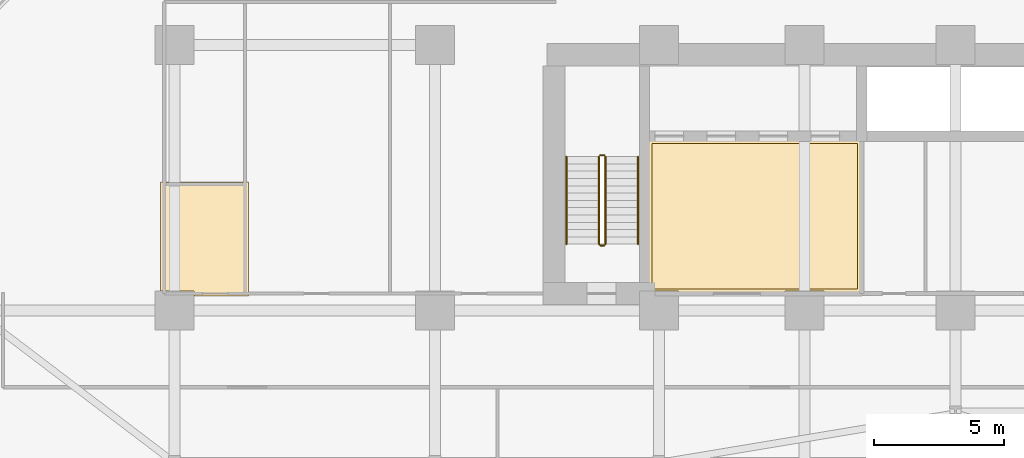
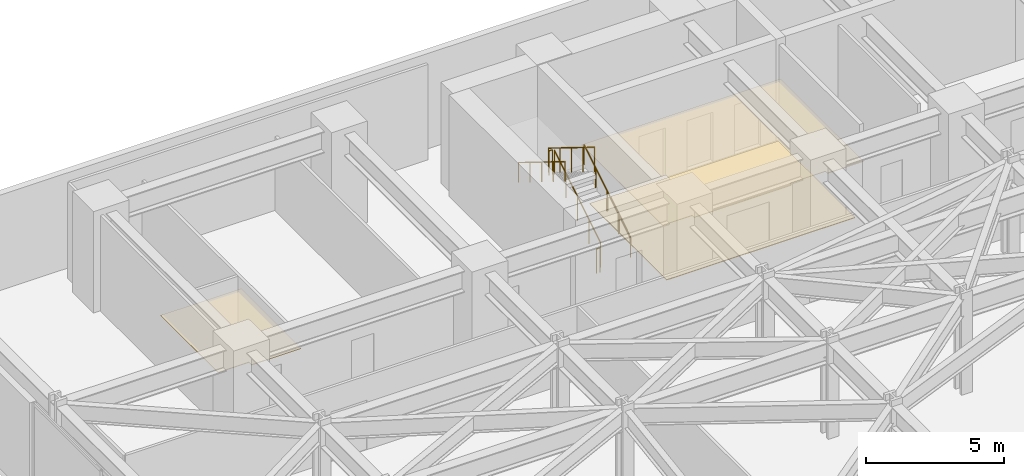
# One storey, part 27 of 28: 6 railings, 3 coverings.
"""IFC4 building model written with IfcOpenShell, lengths in metres."""

from ifc_helpers import new_model, si_unit, direction, frame, origin, origin_2d, place, context, subcontext, project, spatial, polyline, circle, outline, extrude, material, layer, layer_set, type_object, element, save


model = new_model("IFC4")

# Units and contexts
model_context = context("Model", 3, precision=1e-05, world=origin(), true_north=direction((0.0, 1.0)))
body_context = subcontext(model_context, "Body", "Model", "MODEL_VIEW")
ifc_project = project(units=[si_unit("LENGTHUNIT", "METRE"), si_unit("AREAUNIT", "SQUARE_METRE"), si_unit("VOLUMEUNIT", "CUBIC_METRE"), si_unit("PLANEANGLEUNIT", "RADIAN"), si_unit("MASSUNIT", "GRAM", prefix="KILO")], contexts=[model_context])

# Site, building, storey
site_placement = place(None, origin())
site = spatial("IfcSite", under=ifc_project, at=site_placement, CompositionType="ELEMENT")
building_placement = place(site_placement, origin())
building = spatial("IfcBuilding", under=site, at=building_placement, Name="Kravanh Interchange Tower", CompositionType="ELEMENT")
storey_placement = place(building_placement, frame((0.0, 0.0, 15.300048828125)))
storey = spatial("IfcBuildingStorey", under=building, at=storey_placement, Name="L03", CompositionType="ELEMENT", Elevation=15.300048828125)

# Coverings
ifc_material_1 = material(Name="Cementitious Terrazzo Tile")
ifc_layer_1 = layer(ifc_material_1, 0.030029296875)
ifc_layer_set_1 = layer_set([ifc_layer_1], Name="Honed Terrazzo Lobby Flooring 30mm")
covering_type_1 = type_object("IfcCoveringType", Name="Honed Terrazzo Lobby Flooring 30mm", PredefinedType="FLOORING", material=ifc_layer_set_1)
covering_1_placement = place(storey_placement, origin())
element("IfcCovering", 1, at=covering_1_placement, inside=storey, type_object=covering_type_1, Name="L03 Low-Rise Lift Lobby Floor Finish", PredefinedType="FLOORING", context=body_context, shape_type="SweptSolid", body=[
    extrude(outline(polyline([(26.929931640625, 43.77001953125), (34.840087890625, 43.77001953125), (34.840087890625, 38.179931640625), (26.929931640625, 38.179931640625), (26.929931640625, 43.77001953125)])), origin(), (0.0, 0.0, 1.0), 0.030029296875),
])
ifc_material_2 = material(Name="Acoustic Mineral Fibre Tile on Aluminium Grid", Category="aluminium")
ifc_layer_2 = layer(ifc_material_2, 0.02490234375)
ifc_layer_set_2 = layer_set([ifc_layer_2], Name="Perforated Acoustic Mineral Ceiling 25mm")
covering_type_2 = type_object("IfcCoveringType", Name="Perforated Acoustic Mineral Ceiling 25mm", PredefinedType="CEILING", material=ifc_layer_set_2)
covering_2_placement = place(storey_placement, frame((0.0, 0.0, 2.550048828125)))
element("IfcCovering", 2, at=covering_2_placement, inside=storey, type_object=covering_type_2, Name="L03 Low-Rise Lift Lobby Suspended Ceiling", PredefinedType="CEILING", context=body_context, shape_type="SweptSolid", body=[
    extrude(outline(polyline([(35.06005859375, 37.9599609375), (33.550048828125, 37.9599609375), (33.550048828125, 38.10009765625), (32.050048828125, 38.10009765625), (32.050048828125, 37.9599609375), (27.949951171875, 37.9599609375), (27.949951171875, 38.10009765625), (26.7099609375, 38.10009765625), (26.7099609375, 43.989990234375), (35.06005859375, 43.989990234375), (35.06005859375, 37.9599609375)])), origin(), (0.0, 0.0, 1.0), 0.02490234375),
])
covering_3_placement = place(storey_placement, frame((0.0, 0.0, 2.550048828125)))
element("IfcCovering", 3, at=covering_3_placement, inside=storey, type_object=covering_type_2, Name="L03 Accessible WC Suspended Ceiling", PredefinedType="CEILING", context=body_context, shape_type="SweptSolid", body=[
    extrude(outline(polyline([(8.06005859375, 42.280029296875), (11.43994140625, 42.280029296875), (11.43994140625, 37.909912109375), (9.35009765625, 37.909912109375), (9.35009765625, 38.10009765625), (8.06005859375, 38.10009765625), (8.06005859375, 42.280029296875)])), origin(), (0.0, 0.0, 1.0), 0.02490234375),
])

# Railings
ifc_material_3 = material(Name="Structural Steel S355", Category="steel")
ifc_layer_3 = layer(ifc_material_3, 0.050048828125)
ifc_layer_set_3 = layer_set([ifc_layer_3], Name="Stair Well Guardrail Structural Steel S355 1100mm")
railing_type_1 = type_object("IfcRailingType", Name="Stair Well Guardrail Structural Steel S355 1100mm", PredefinedType="GUARDRAIL", material=ifc_layer_set_3)
railing_1_placement = place(storey_placement, frame((25.14990234375, 39.89990234375, 0.173095703125)))
element("IfcRailing", 4, at=railing_1_placement, inside=storey, type_object=railing_type_1, Name="L03 ST3 stair guard 1", PredefinedType="GUARDRAIL", context=body_context, shape_type="SweptSolid", body=[
    extrude(circle(Radius=0.02392578125, at=origin_2d()), frame((0.0, 0.0, 1.076171875), z_axis=(0.0, 0.850623216509, 0.525775754039), x_axis=(-1.0, 0.0, 0.0)), (0.0, 0.0, 1.0), 3.9501953125),
    extrude(circle(Radius=0.02099609375, at=origin_2d()), origin(), (0.0, 0.0, 1.0), 1.052001953125),
    extrude(circle(Radius=0.02099609375, at=origin_2d()), frame((0.0, 0.840087890625, 0.519287109375)), (0.0, 0.0, 1.0), 1.052001953125),
    extrude(circle(Radius=0.02099609375, at=origin_2d()), frame((0.0, 1.68017578125, 1.03857421875)), (0.0, 0.0, 1.0), 1.052001953125),
    extrude(circle(Radius=0.02099609375, at=origin_2d()), frame((0.0, 2.52001953125, 1.5576171875)), (0.0, 0.0, 1.0), 1.052001953125),
    extrude(circle(Radius=0.02099609375, at=origin_2d()), frame((0.0, 3.360107421875, 2.076904296875)), (0.0, 0.0, 1.0), 1.052001953125),
])
railing_2_placement = place(storey_placement, frame((25.10009765625, 43.31005859375, 2.25)))
element("IfcRailing", 5, at=railing_2_placement, inside=storey, type_object=railing_type_1, Name="L03 ST3 stair guard 2", PredefinedType="GUARDRAIL", context=body_context, shape_type="SweptSolid", body=[
    extrude(circle(Radius=0.02392578125, at=origin_2d()), frame((0.0, 0.0, 1.076171875), z_axis=(-1.0, 0.0, 0.0), x_axis=(0.0, -1.0, 0.0)), (0.0, 0.0, 1.0), 0.150146484375),
    extrude(circle(Radius=0.02099609375, at=origin_2d()), origin(), (0.0, 0.0, 1.0), 1.052001953125),
    extrude(circle(Radius=0.02099609375, at=origin_2d()), frame((-0.150146484375, 0.0, 0.0)), (0.0, 0.0, 1.0), 1.052001953125),
])
railing_3_placement = place(storey_placement, frame((24.89990234375, 43.260009765625, 2.423095703125)))
element("IfcRailing", 6, at=railing_3_placement, inside=storey, type_object=railing_type_1, Name="L03 ST3 stair guard 3", PredefinedType="GUARDRAIL", context=body_context, shape_type="SweptSolid", body=[
    extrude(circle(Radius=0.02392578125, at=origin_2d()), frame((0.0, 0.0, 1.076171875), z_axis=(0.0, -0.850623216509, 0.525775754039), x_axis=(1.0, 0.0, 0.0)), (0.0, 0.0, 1.0), 3.9501953125),
    extrude(circle(Radius=0.02099609375, at=origin_2d()), origin(), (0.0, 0.0, 1.0), 1.052001953125),
    extrude(circle(Radius=0.02099609375, at=origin_2d()), frame((0.0, -0.840087890625, 0.519287109375)), (0.0, 0.0, 1.0), 1.052001953125),
    extrude(circle(Radius=0.02099609375, at=origin_2d()), frame((0.0, -1.68017578125, 1.03857421875)), (0.0, 0.0, 1.0), 1.052001953125),
    extrude(circle(Radius=0.02099609375, at=origin_2d()), frame((0.0, -2.52001953125, 1.5576171875)), (0.0, 0.0, 1.0), 1.052001953125),
    extrude(circle(Radius=0.02099609375, at=origin_2d()), frame((0.0, -3.360107421875, 2.076904296875)), (0.0, 0.0, 1.0), 1.052001953125),
])
railing_4_placement = place(storey_placement, frame((25.10009765625, 39.85009765625, 0.0)))
element("IfcRailing", 7, at=railing_4_placement, inside=storey, type_object=railing_type_1, Name="L03 ST3 stair guard 4", PredefinedType="GUARDRAIL", context=body_context, shape_type="SweptSolid", body=[
    extrude(circle(Radius=0.02392578125, at=origin_2d()), frame((0.0, 0.0, 1.076171875), z_axis=(-1.0, 0.0, 0.0), x_axis=(0.0, -1.0, 0.0)), (0.0, 0.0, 1.0), 0.150146484375),
    extrude(circle(Radius=0.02099609375, at=origin_2d()), origin(), (0.0, 0.0, 1.0), 1.052001953125),
    extrude(circle(Radius=0.02099609375, at=origin_2d()), frame((-0.150146484375, 0.0, 0.0)), (0.0, 0.0, 1.0), 1.052001953125),
])
ifc_material_4 = material(Name="Stainless Steel 304", Category="steel")
ifc_layer_4 = layer(ifc_material_4, 0.044921875)
ifc_layer_set_4 = layer_set([ifc_layer_4], Name="Tubular Stair Handrail Stainless 304 900mm")
railing_type_2 = type_object("IfcRailingType", Name="Tubular Stair Handrail Stainless 304 900mm", PredefinedType="HANDRAIL", material=ifc_layer_set_4)
railing_5_placement = place(storey_placement, frame((26.39990234375, 39.89990234375, 0.173095703125)))
element("IfcRailing", 8, at=railing_5_placement, inside=storey, type_object=railing_type_2, Name="L03 ST3 stair handrail 1", PredefinedType="HANDRAIL", context=body_context, shape_type="SweptSolid", body=[
    extrude(circle(Radius=0.02392578125, at=origin_2d()), frame((0.0, 0.0, 0.8759765625), z_axis=(0.0, 0.850623216509, 0.525775754039), x_axis=(-1.0, 0.0, 0.0)), (0.0, 0.0, 1.0), 3.9501953125),
    extrude(circle(Radius=0.02099609375, at=origin_2d()), origin(), (0.0, 0.0, 1.0), 0.851806640625),
    extrude(circle(Radius=0.02099609375, at=origin_2d()), frame((0.0, 0.840087890625, 0.519287109375)), (0.0, 0.0, 1.0), 0.851806640625),
    extrude(circle(Radius=0.02099609375, at=origin_2d()), frame((0.0, 1.68017578125, 1.03857421875)), (0.0, 0.0, 1.0), 0.851806640625),
    extrude(circle(Radius=0.02099609375, at=origin_2d()), frame((0.0, 2.52001953125, 1.5576171875)), (0.0, 0.0, 1.0), 0.851806640625),
    extrude(circle(Radius=0.02099609375, at=origin_2d()), frame((0.0, 3.360107421875, 2.076904296875)), (0.0, 0.0, 1.0), 0.851806640625),
])
railing_6_placement = place(storey_placement, frame((23.64990234375, 43.260009765625, 2.423095703125)))
element("IfcRailing", 9, at=railing_6_placement, inside=storey, type_object=railing_type_2, Name="L03 ST3 stair handrail 2", PredefinedType="HANDRAIL", context=body_context, shape_type="SweptSolid", body=[
    extrude(circle(Radius=0.02392578125, at=origin_2d()), frame((0.0, 0.0, 0.8759765625), z_axis=(0.0, -0.850623216509, 0.525775754039), x_axis=(1.0, 0.0, 0.0)), (0.0, 0.0, 1.0), 3.9501953125),
    extrude(circle(Radius=0.02099609375, at=origin_2d()), origin(), (0.0, 0.0, 1.0), 0.851806640625),
    extrude(circle(Radius=0.02099609375, at=origin_2d()), frame((0.0, -0.840087890625, 0.519287109375)), (0.0, 0.0, 1.0), 0.851806640625),
    extrude(circle(Radius=0.02099609375, at=origin_2d()), frame((0.0, -1.68017578125, 1.03857421875)), (0.0, 0.0, 1.0), 0.851806640625),
    extrude(circle(Radius=0.02099609375, at=origin_2d()), frame((0.0, -2.52001953125, 1.5576171875)), (0.0, 0.0, 1.0), 0.851806640625),
    extrude(circle(Radius=0.02099609375, at=origin_2d()), frame((0.0, -3.360107421875, 2.076904296875)), (0.0, 0.0, 1.0), 0.851806640625),
])

save(model, "model.ifc")
